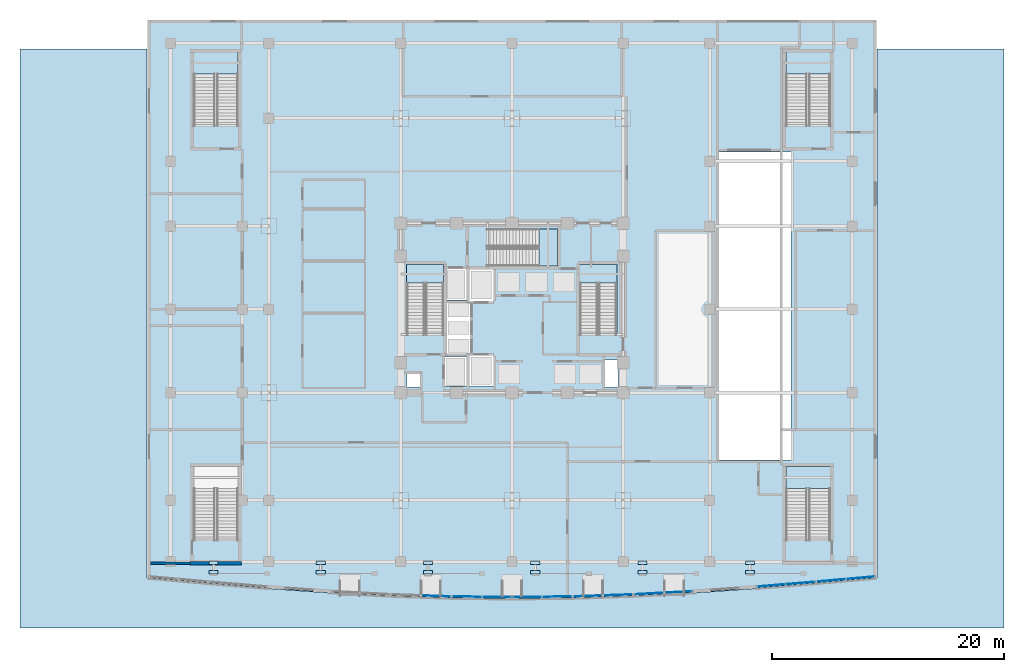
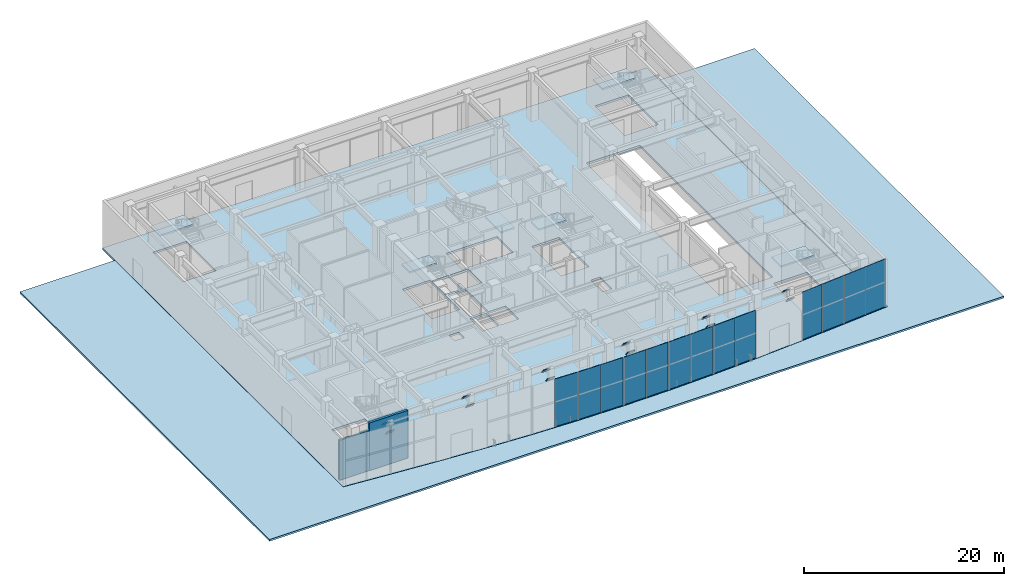
# One storey, part 11 of 23: 25 plates, 8 slabs, 2 walls, 13 elements without a shape of their own.
"""IFC4 building model written with IfcOpenShell, lengths in metres."""

from ifc_helpers import new_model, si_unit, direction, frame, frame_2d, origin, origin_2d, place, context, subcontext, project, spatial, polyline, rectangle, outline, extrude, material, layer, layer_set, type_object, element, aggregate, save


model = new_model("IFC4")

# Units and contexts
model_context = context("Model", 3, precision=1e-05, world=origin(), true_north=direction((0.0, 1.0)))
body_context = subcontext(model_context, "Body", "Model", "MODEL_VIEW")
ifc_project = project(units=[si_unit("LENGTHUNIT", "METRE"), si_unit("AREAUNIT", "SQUARE_METRE"), si_unit("VOLUMEUNIT", "CUBIC_METRE"), si_unit("PLANEANGLEUNIT", "RADIAN"), si_unit("MASSUNIT", "GRAM", prefix="KILO")], contexts=[model_context])

# Site, building, storey
site_placement = place(None, origin())
site = spatial("IfcSite", under=ifc_project, at=site_placement, CompositionType="ELEMENT")
building_placement = place(site_placement, origin())
building = spatial("IfcBuilding", under=site, at=building_placement, Name="Vantalir Tower", CompositionType="ELEMENT")
storey_placement = place(building_placement, origin())
storey = spatial("IfcBuildingStorey", under=building, at=storey_placement, Name="L00", CompositionType="ELEMENT", Elevation=0.0)

# Curtain wall, plate
ifc_material_1 = material(Name="Champagne-silver PVDF aluminium and double-silver Low-E glass", Category="aluminium")
ifc_layer_1 = layer(ifc_material_1, 0.239990234375)
ifc_layer_set_1 = layer_set([ifc_layer_1], Name="Champagne-silver PVDF aluminium and double-silver Low-E glass")
curtain_wall_type = type_object("IfcCurtainWallType", Name="CW-PODIUM-WF", PredefinedType="USERDEFINED", material=ifc_layer_set_1)
curtain_wall_1_placement = place(storey_placement, origin())
curtain_wall_1 = element("IfcCurtainWall", 1, at=curtain_wall_1_placement, inside=storey, type_object=curtain_wall_type, Name="L00 Waterfront Stick Curtain Wall 05", ObjectType="STICK CURTAIN WALL", PredefinedType="USERDEFINED")
ifc_material_2 = material(Name="Laminated waterfront podium glass IGU", Category="glass")
ifc_layer_2 = layer(ifc_material_2, 0.0400390625)
ifc_layer_set_2 = layer_set([ifc_layer_2], Name="Laminated waterfront podium glass IGU")
plate_type_1 = type_object("IfcPlateType", Name="CWP-IGU-POD-40", PredefinedType="CURTAIN_PANEL", material=ifc_layer_set_2)
plate_1_placement = place(storey_placement, frame((24.9130859375, 0.2470703125, -0.008056640625), z_axis=(0.0, 0.0, 1.0), x_axis=(0.999412557746, -0.034271554079, 0.0)))
plate_1 = element("IfcPlate", 2, at=plate_1_placement, type_object=plate_type_1, Name="CW-L00-WF-05 Glazed Panel 2", PredefinedType="CURTAIN_PANEL", context=body_context, shape_type="SweptSolid", body=[
    extrude(rectangle(XDim=2.556884765625, YDim=0.0400390625, at=origin_2d()), origin(), (0.0, 0.0, 1.0), 5.8359375),
])
aggregate(curtain_wall_1, [plate_1])

# Curtain wall, plates
curtain_wall_2_placement = place(storey_placement, origin())
curtain_wall_2 = element("IfcCurtainWall", 3, at=curtain_wall_2_placement, inside=storey, type_object=curtain_wall_type, Name="L00 Waterfront Stick Curtain Wall 06", ObjectType="STICK CURTAIN WALL", PredefinedType="USERDEFINED")
plate_2_placement = place(storey_placement, frame((27.5869140625, 0.18505859375, -0.008056640625), z_axis=(0.0, 0.0, 1.0), x_axis=(0.999932443319, -0.01162363106, 0.0)))
plate_2 = element("IfcPlate", 4, at=plate_2_placement, type_object=plate_type_1, Name="CW-L00-WF-06 Glazed Panel 1", PredefinedType="CURTAIN_PANEL", context=body_context, shape_type="SweptSolid", body=[
    extrude(rectangle(XDim=2.554931640625, YDim=0.0400390625, at=origin_2d()), origin(), (0.0, 0.0, 1.0), 5.8359375),
])
plate_3_placement = place(storey_placement, frame((30.1630859375, 0.156005859375, -0.008056640625), z_axis=(0.0, 0.0, 1.0), x_axis=(0.999932443319, -0.01162363106, 0.0)))
plate_3 = element("IfcPlate", 5, at=plate_3_placement, type_object=plate_type_1, Name="CW-L00-WF-06 Glazed Panel 2", PredefinedType="CURTAIN_PANEL", context=body_context, shape_type="SweptSolid", body=[
    extrude(rectangle(XDim=2.554931640625, YDim=0.0400390625, at=origin_2d()), origin(), (0.0, 0.0, 1.0), 5.8359375),
])
aggregate(curtain_wall_2, [plate_2, plate_3])

curtain_wall_3_placement = place(storey_placement, origin())
curtain_wall_3 = element("IfcCurtainWall", 6, at=curtain_wall_3_placement, inside=storey, type_object=curtain_wall_type, Name="L00 Waterfront Stick Curtain Wall 07", ObjectType="STICK CURTAIN WALL", PredefinedType="USERDEFINED")
plate_4_placement = place(storey_placement, frame((32.8369140625, 0.156005859375, -0.008056640625), z_axis=(0.0, 0.0, 1.0), x_axis=(0.999932443319, 0.01162363106, 0.0)))
plate_4 = element("IfcPlate", 7, at=plate_4_placement, type_object=plate_type_1, Name="CW-L00-WF-07 Glazed Panel 1", PredefinedType="CURTAIN_PANEL", context=body_context, shape_type="SweptSolid", body=[
    extrude(rectangle(XDim=2.554931640625, YDim=0.0400390625, at=origin_2d()), origin(), (0.0, 0.0, 1.0), 5.8359375),
])
plate_5_placement = place(storey_placement, frame((35.4130859375, 0.18505859375, -0.008056640625), z_axis=(0.0, 0.0, 1.0), x_axis=(0.999932443319, 0.01162363106, 0.0)))
plate_5 = element("IfcPlate", 8, at=plate_5_placement, type_object=plate_type_1, Name="CW-L00-WF-07 Glazed Panel 2", PredefinedType="CURTAIN_PANEL", context=body_context, shape_type="SweptSolid", body=[
    extrude(rectangle(XDim=2.554931640625, YDim=0.0400390625, at=origin_2d()), origin(), (0.0, 0.0, 1.0), 5.8359375),
])
aggregate(curtain_wall_3, [plate_4, plate_5])

curtain_wall_4_placement = place(storey_placement, origin())
curtain_wall_4 = element("IfcCurtainWall", 9, at=curtain_wall_4_placement, inside=storey, type_object=curtain_wall_type, Name="L00 Waterfront Stick Curtain Wall 08", ObjectType="STICK CURTAIN WALL", PredefinedType="USERDEFINED")
plate_6_placement = place(storey_placement, frame((38.0869140625, 0.2470703125, -0.008056640625), z_axis=(0.0, 0.0, 1.0), x_axis=(0.999412557746, 0.034271554079, 0.0)))
plate_6 = element("IfcPlate", 10, at=plate_6_placement, type_object=plate_type_1, Name="CW-L00-WF-08 Glazed Panel 1", PredefinedType="CURTAIN_PANEL", context=body_context, shape_type="SweptSolid", body=[
    extrude(rectangle(XDim=2.556884765625, YDim=0.0400390625, at=origin_2d()), origin(), (0.0, 0.0, 1.0), 5.8359375),
])
plate_7_placement = place(storey_placement, frame((40.6630859375, 0.3349609375, -0.008056640625), z_axis=(0.0, 0.0, 1.0), x_axis=(0.999412557746, 0.034271554079, 0.0)))
plate_7 = element("IfcPlate", 11, at=plate_7_placement, type_object=plate_type_1, Name="CW-L00-WF-08 Glazed Panel 2", PredefinedType="CURTAIN_PANEL", context=body_context, shape_type="SweptSolid", body=[
    extrude(rectangle(XDim=2.556884765625, YDim=0.0400390625, at=origin_2d()), origin(), (0.0, 0.0, 1.0), 5.8359375),
])
aggregate(curtain_wall_4, [plate_6, plate_7])

curtain_wall_5_placement = place(storey_placement, origin())
curtain_wall_5 = element("IfcCurtainWall", 12, at=curtain_wall_5_placement, inside=storey, type_object=curtain_wall_type, Name="L00 Waterfront Stick Curtain Wall 09", ObjectType="STICK CURTAIN WALL", PredefinedType="USERDEFINED")
plate_8_placement = place(storey_placement, frame((43.3369140625, 0.4541015625, -0.008056640625), z_axis=(0.0, 0.0, 1.0), x_axis=(0.998519631691, 0.054392509858, 0.0)))
plate_8 = element("IfcPlate", 13, at=plate_8_placement, type_object=plate_type_1, Name="CW-L00-WF-09 Glazed Panel 1", PredefinedType="CURTAIN_PANEL", context=body_context, shape_type="SweptSolid", body=[
    extrude(rectangle(XDim=2.55908203125, YDim=0.0400390625, at=origin_2d()), origin(), (0.0, 0.0, 1.0), 5.8359375),
])
plate_9_placement = place(storey_placement, frame((45.847900390625, 0.591064453125, -0.008056640625), z_axis=(0.0, 0.0, 1.0), x_axis=(0.998519631691, 0.054392509858, 0.0)))
plate_9 = element("IfcPlate", 14, at=plate_9_placement, type_object=plate_type_1, Name="CW-L00-WF-09 Glazed Panel 2", PredefinedType="CURTAIN_PANEL", context=body_context, shape_type="SweptSolid", body=[
    extrude(rectangle(XDim=2.428955078125, YDim=0.0400390625, at=origin_2d()), origin(), (0.0, 0.0, 1.0), 5.8359375),
])
aggregate(curtain_wall_5, [plate_8, plate_9])

curtain_wall_6_placement = place(storey_placement, origin())
curtain_wall_6 = element("IfcCurtainWall", 15, at=curtain_wall_6_placement, inside=storey, type_object=curtain_wall_type, Name="L00 Waterfront Stick Curtain Wall 11", ObjectType="STICK CURTAIN WALL", PredefinedType="USERDEFINED")
plate_10_placement = place(storey_placement, frame((53.902099609375, 1.156005859375, -0.008056640625), z_axis=(0.0, 0.0, 1.0), x_axis=(0.996600101689, 0.082390759878, 0.0)))
plate_10 = element("IfcPlate", 16, at=plate_10_placement, type_object=plate_type_1, Name="CW-L00-WF-11 Glazed Panel 1", PredefinedType="CURTAIN_PANEL", context=body_context, shape_type="SweptSolid", body=[
    extrude(rectangle(XDim=2.43408203125, YDim=0.0400390625, at=origin_2d()), origin(), (0.0, 0.0, 1.0), 5.8359375),
])
plate_11_placement = place(storey_placement, frame((56.4130859375, 1.363037109375, -0.008056640625), z_axis=(0.0, 0.0, 1.0), x_axis=(0.996600101689, 0.082390759878, 0.0)))
plate_11 = element("IfcPlate", 17, at=plate_11_placement, type_object=plate_type_1, Name="CW-L00-WF-11 Glazed Panel 2", PredefinedType="CURTAIN_PANEL", context=body_context, shape_type="SweptSolid", body=[
    extrude(rectangle(XDim=2.56396484375, YDim=0.0400390625, at=origin_2d()), origin(), (0.0, 0.0, 1.0), 5.8359375),
])
aggregate(curtain_wall_6, [plate_10, plate_11])

curtain_wall_7_placement = place(storey_placement, origin())
curtain_wall_7 = element("IfcCurtainWall", 18, at=curtain_wall_7_placement, inside=storey, type_object=curtain_wall_type, Name="L00 Waterfront Stick Curtain Wall 12", ObjectType="STICK CURTAIN WALL", PredefinedType="USERDEFINED")
plate_12_placement = place(storey_placement, frame((59.0869140625, 1.593017578125, -0.008056640625), z_axis=(0.0, 0.0, 1.0), x_axis=(0.99608438842, 0.088407528781, 0.0)))
plate_12 = element("IfcPlate", 19, at=plate_12_placement, type_object=plate_type_1, Name="CW-L00-WF-12 Glazed Panel 1", PredefinedType="CURTAIN_PANEL", context=body_context, shape_type="SweptSolid", body=[
    extrude(rectangle(XDim=2.56494140625, YDim=0.0400390625, at=origin_2d()), origin(), (0.0, 0.0, 1.0), 5.8359375),
])
plate_13_placement = place(storey_placement, frame((61.597900390625, 1.81591796875, -0.008056640625), z_axis=(0.0, 0.0, 1.0), x_axis=(0.99608438842, 0.088407528781, 0.0)))
plate_13 = element("IfcPlate", 20, at=plate_13_placement, type_object=plate_type_1, Name="CW-L00-WF-12 Glazed Panel 2", PredefinedType="CURTAIN_PANEL", context=body_context, shape_type="SweptSolid", body=[
    extrude(rectangle(XDim=2.43505859375, YDim=0.0400390625, at=origin_2d()), origin(), (0.0, 0.0, 1.0), 5.8359375),
])
aggregate(curtain_wall_7, [plate_12, plate_13])

# Plates
ifc_material_3 = material(Name="Steel S460", Category="steel")
ifc_layer_3 = layer(ifc_material_3, 0.031982421875)
ifc_layer_set_3 = layer_set([ifc_layer_3], Name="Steel S460")
plate_type_2 = type_object("IfcPlateType", Name="PLT-KN-Z3", PredefinedType="USERDEFINED", material=ifc_layer_set_3)
plate_14_placement = place(storey_placement, frame((6.116943359375, 2.453857421875, 4.21044921875), z_axis=(0.0, 0.819342199311, 0.573304770979), x_axis=(-1.0, 0.0, 0.0)))
element("IfcPlate", 21, at=plate_14_placement, inside=storey, type_object=plate_type_2, Name="Node Cap Plate MEM-L00-CSTRUT-01 Start", ObjectType="FLANGE_PLATE", PredefinedType="USERDEFINED", context=body_context, shape_type="SweptSolid", body=[
    extrude(outline(polyline([(0.0, 0.0), (0.800048828125, 0.0), (0.800048828125, 0.5199602693271592), (0.0, 0.5199602693271592), (0.0, 0.0)])), origin(), (0.0, 0.0, -1.0), 0.031982421875),
])
plate_15_placement = place(storey_placement, frame((6.116943359375, 3.2705078125, 4.781982421875), z_axis=(0.0, 0.819121641121, 0.573619854126), x_axis=(-1.0, 0.0, 0.0)))
element("IfcPlate", 22, at=plate_15_placement, inside=storey, type_object=plate_type_2, Name="Node Cap Plate MEM-L00-CSTRUT-01 End", ObjectType="FLANGE_PLATE", PredefinedType="USERDEFINED", context=body_context, shape_type="SweptSolid", body=[
    extrude(outline(polyline([(0.0, 0.0), (0.800048828125, 0.0), (0.800048828125, 0.5201002747797373), (0.0, 0.5201002747797373), (0.0, 0.0)])), origin(), (0.0, 0.0, -1.0), 0.031982421875),
])
plate_16_placement = place(storey_placement, frame((15.383056640625, 2.453857421875, 4.21044921875), z_axis=(0.0, 0.819342199311, 0.573304770979), x_axis=(-1.0, 0.0, 0.0)))
element("IfcPlate", 23, at=plate_16_placement, inside=storey, type_object=plate_type_2, Name="Node Cap Plate MEM-L00-CSTRUT-02 Start", ObjectType="FLANGE_PLATE", PredefinedType="USERDEFINED", context=body_context, shape_type="SweptSolid", body=[
    extrude(outline(polyline([(0.0, 0.0), (0.800048828125, 0.0), (0.800048828125, 0.5199602693271592), (0.0, 0.5199602693271592), (0.0, 0.0)])), origin(), (0.0, 0.0, -1.0), 0.031982421875),
])
plate_17_placement = place(storey_placement, frame((15.383056640625, 3.2705078125, 4.781982421875), z_axis=(0.0, 0.819121641121, 0.573619854126), x_axis=(-1.0, 0.0, 0.0)))
element("IfcPlate", 24, at=plate_17_placement, inside=storey, type_object=plate_type_2, Name="Node Cap Plate MEM-L00-CSTRUT-02 End", ObjectType="FLANGE_PLATE", PredefinedType="USERDEFINED", context=body_context, shape_type="SweptSolid", body=[
    extrude(outline(polyline([(0.0, 0.0), (0.800048828125, 0.0), (0.800048828125, 0.5201002747797373), (0.0, 0.5201002747797373), (0.0, 0.0)])), origin(), (0.0, 0.0, -1.0), 0.031982421875),
])
plate_18_placement = place(storey_placement, frame((24.64990234375, 2.453857421875, 4.21044921875), z_axis=(0.0, 0.819342199311, 0.573304770979), x_axis=(-1.0, 0.0, 0.0)))
element("IfcPlate", 25, at=plate_18_placement, inside=storey, type_object=plate_type_2, Name="Node Cap Plate MEM-L00-CSTRUT-03 Start", ObjectType="FLANGE_PLATE", PredefinedType="USERDEFINED", context=body_context, shape_type="SweptSolid", body=[
    extrude(outline(polyline([(0.0, 0.0), (0.7998046875, 0.0), (0.7998046875, 0.5199602693271592), (0.0, 0.5199602693271592), (0.0, 0.0)])), origin(), (0.0, 0.0, -1.0), 0.031982421875),
])
plate_19_placement = place(storey_placement, frame((24.64990234375, 3.2705078125, 4.781982421875), z_axis=(0.0, 0.819121641121, 0.573619854126), x_axis=(-1.0, 0.0, 0.0)))
element("IfcPlate", 26, at=plate_19_placement, inside=storey, type_object=plate_type_2, Name="Node Cap Plate MEM-L00-CSTRUT-03 End", ObjectType="FLANGE_PLATE", PredefinedType="USERDEFINED", context=body_context, shape_type="SweptSolid", body=[
    extrude(outline(polyline([(0.0, 0.0), (0.7998046875, 0.0), (0.7998046875, 0.5201002747797373), (0.0, 0.5201002747797373), (0.0, 0.0)])), origin(), (0.0, 0.0, -1.0), 0.031982421875),
])
plate_20_placement = place(storey_placement, frame((33.9169921875, 2.453857421875, 4.21044921875), z_axis=(0.0, 0.819342199311, 0.573304770979), x_axis=(-1.0, 0.0, 0.0)))
element("IfcPlate", 27, at=plate_20_placement, inside=storey, type_object=plate_type_2, Name="Node Cap Plate MEM-L00-CSTRUT-04 Start", ObjectType="FLANGE_PLATE", PredefinedType="USERDEFINED", context=body_context, shape_type="SweptSolid", body=[
    extrude(outline(polyline([(0.0, 0.0), (0.800048828125, 0.0), (0.800048828125, 0.5199602693271592), (0.0, 0.5199602693271592), (0.0, 0.0)])), origin(), (0.0, 0.0, -1.0), 0.031982421875),
])
plate_21_placement = place(storey_placement, frame((33.9169921875, 3.2705078125, 4.781982421875), z_axis=(0.0, 0.819121641121, 0.573619854126), x_axis=(-1.0, 0.0, 0.0)))
element("IfcPlate", 28, at=plate_21_placement, inside=storey, type_object=plate_type_2, Name="Node Cap Plate MEM-L00-CSTRUT-04 End", ObjectType="FLANGE_PLATE", PredefinedType="USERDEFINED", context=body_context, shape_type="SweptSolid", body=[
    extrude(outline(polyline([(0.0, 0.0), (0.800048828125, 0.0), (0.800048828125, 0.5201002747797373), (0.0, 0.5201002747797373), (0.0, 0.0)])), origin(), (0.0, 0.0, -1.0), 0.031982421875),
])
plate_22_placement = place(storey_placement, frame((43.18310546875, 2.453857421875, 4.21044921875), z_axis=(0.0, 0.819342199311, 0.573304770979), x_axis=(-1.0, 0.0, 0.0)))
element("IfcPlate", 29, at=plate_22_placement, inside=storey, type_object=plate_type_2, Name="Node Cap Plate MEM-L00-CSTRUT-05 Start", ObjectType="FLANGE_PLATE", PredefinedType="USERDEFINED", context=body_context, shape_type="SweptSolid", body=[
    extrude(outline(polyline([(0.0, 0.0), (0.800048828125, 0.0), (0.800048828125, 0.5199602693271592), (0.0, 0.5199602693271592), (0.0, 0.0)])), origin(), (0.0, 0.0, -1.0), 0.031982421875),
])
plate_23_placement = place(storey_placement, frame((43.18310546875, 3.2705078125, 4.781982421875), z_axis=(0.0, 0.819121641121, 0.573619854126), x_axis=(-1.0, 0.0, 0.0)))
element("IfcPlate", 30, at=plate_23_placement, inside=storey, type_object=plate_type_2, Name="Node Cap Plate MEM-L00-CSTRUT-05 End", ObjectType="FLANGE_PLATE", PredefinedType="USERDEFINED", context=body_context, shape_type="SweptSolid", body=[
    extrude(outline(polyline([(0.0, 0.0), (0.800048828125, 0.0), (0.800048828125, 0.5201002747797373), (0.0, 0.5201002747797373), (0.0, 0.0)])), origin(), (0.0, 0.0, -1.0), 0.031982421875),
])
plate_24_placement = place(storey_placement, frame((52.449951171875, 2.453857421875, 4.21044921875), z_axis=(0.0, 0.819342199311, 0.573304770979), x_axis=(-1.0, 0.0, 0.0)))
element("IfcPlate", 31, at=plate_24_placement, inside=storey, type_object=plate_type_2, Name="Node Cap Plate MEM-L00-CSTRUT-06 Start", ObjectType="FLANGE_PLATE", PredefinedType="USERDEFINED", context=body_context, shape_type="SweptSolid", body=[
    extrude(outline(polyline([(0.0, 0.0), (0.800048828125, 0.0), (0.800048828125, 0.5199602693271592), (0.0, 0.5199602693271592), (0.0, 0.0)])), origin(), (0.0, 0.0, -1.0), 0.031982421875),
])
plate_25_placement = place(storey_placement, frame((52.449951171875, 3.2705078125, 4.781982421875), z_axis=(0.0, 0.819121641121, 0.573619854126), x_axis=(-1.0, 0.0, 0.0)))
element("IfcPlate", 32, at=plate_25_placement, inside=storey, type_object=plate_type_2, Name="Node Cap Plate MEM-L00-CSTRUT-06 End", ObjectType="FLANGE_PLATE", PredefinedType="USERDEFINED", context=body_context, shape_type="SweptSolid", body=[
    extrude(outline(polyline([(0.0, 0.0), (0.800048828125, 0.0), (0.800048828125, 0.5201002747797373), (0.0, 0.5201002747797373), (0.0, 0.0)])), origin(), (0.0, 0.0, -1.0), 0.031982421875),
])

# Stair, slab
ifc_material_4 = material(Name="Concrete C40/50", Category="concrete")
stair_type_1 = type_object("IfcStairType", Name="STR-CORE-1450", PredefinedType="HALF_TURN_STAIR", material=ifc_material_4)
stair_1_placement = place(storey_placement, origin())
stair_1 = element("IfcStair", 33, at=stair_1_placement, inside=storey, type_object=stair_type_1, Name="L00 Core Exit Stair 1", PredefinedType="HALF_TURN_STAIR")
ifc_layer_4 = layer(ifc_material_4, 0.199951171875)
ifc_layer_set_4 = layer_set([ifc_layer_4], Name="Concrete C40/50")
slab_type_1 = type_object("IfcSlabType", Name="SL-LAND-200", PredefinedType="LANDING", material=ifc_layer_set_4)
slab_1_placement = place(storey_placement, frame((0.0, 0.0, 2.800048828125)))
slab_1 = element("IfcSlab", 34, at=slab_1_placement, type_object=slab_type_1, Name="ST1 landing 1", PredefinedType="LANDING", context=body_context, shape_type="SweptSolid", body=[
    extrude(outline(polyline([(25.60009765625, 27.27001953125), (25.60009765625, 28.8701171875), (22.39990234375, 28.8701171875), (22.39990234375, 27.27001953125), (25.60009765625, 27.27001953125)])), origin(), (0.0, 0.0, 1.0), 0.199951171875),
])
aggregate(stair_1, [slab_1])

stair_2_placement = place(storey_placement, origin())
stair_2 = element("IfcStair", 35, at=stair_2_placement, inside=storey, type_object=stair_type_1, Name="L00 Core Exit Stair 2", PredefinedType="HALF_TURN_STAIR")
slab_2_placement = place(storey_placement, frame((0.0, 0.0, 2.800048828125)))
slab_2 = element("IfcSlab", 36, at=slab_2_placement, type_object=slab_type_1, Name="ST2 landing 1", PredefinedType="LANDING", context=body_context, shape_type="SweptSolid", body=[
    extrude(outline(polyline([(40.550048828125, 27.27001953125), (40.550048828125, 28.8701171875), (37.35009765625, 28.8701171875), (37.35009765625, 27.27001953125), (40.550048828125, 27.27001953125)])), origin(), (0.0, 0.0, 1.0), 0.199951171875),
])
aggregate(stair_2, [slab_2])

stair_3_placement = place(storey_placement, origin())
stair_3 = element("IfcStair", 37, at=stair_3_placement, inside=storey, type_object=stair_type_1, Name="L00 Core Exit Stair 3", PredefinedType="HALF_TURN_STAIR")
slab_3_placement = place(storey_placement, frame((0.0, 0.0, 2.800048828125)))
slab_3 = element("IfcSlab", 38, at=slab_3_placement, type_object=slab_type_1, Name="ST3 landing 1", PredefinedType="LANDING", context=body_context, shape_type="SweptSolid", body=[
    extrude(outline(polyline([(33.820068359375, 28.75), (35.419921875, 28.75), (35.419921875, 31.949951171875), (33.820068359375, 31.949951171875), (33.820068359375, 28.75)])), origin(), (0.0, 0.0, 1.0), 0.199951171875),
])
aggregate(stair_3, [slab_3])

stair_type_2 = type_object("IfcStairType", Name="STR-POD-1550", PredefinedType="HALF_TURN_STAIR", material=ifc_material_4)
stair_4_placement = place(storey_placement, origin())
stair_4 = element("IfcStair", 39, at=stair_4_placement, inside=storey, type_object=stair_type_2, Name="L00 Podium Exit Stair 1", PredefinedType="HALF_TURN_STAIR")
slab_4_placement = place(storey_placement, frame((0.0, 0.0, 2.800048828125)))
slab_4 = element("IfcSlab", 40, at=slab_4_placement, type_object=slab_type_1, Name="PST1 landing 1", PredefinedType="LANDING", context=body_context, shape_type="SweptSolid", body=[
    extrude(outline(polyline([(7.85009765625, 45.330078125), (7.85009765625, 47.219970703125), (4.0, 47.219970703125), (4.0, 45.330078125), (7.85009765625, 45.330078125)])), origin(), (0.0, 0.0, 1.0), 0.199951171875),
])
aggregate(stair_4, [slab_4])

stair_5_placement = place(storey_placement, origin())
stair_5 = element("IfcStair", 41, at=stair_5_placement, inside=storey, type_object=stair_type_2, Name="L00 Podium Exit Stair 2", PredefinedType="HALF_TURN_STAIR")
slab_5_placement = place(storey_placement, frame((0.0, 0.0, 2.800048828125)))
slab_5 = element("IfcSlab", 42, at=slab_5_placement, type_object=slab_type_1, Name="PST2 landing 1", PredefinedType="LANDING", context=body_context, shape_type="SweptSolid", body=[
    extrude(outline(polyline([(59.0, 45.330078125), (59.0, 47.219970703125), (55.14990234375, 47.219970703125), (55.14990234375, 45.330078125), (59.0, 45.330078125)])), origin(), (0.0, 0.0, 1.0), 0.199951171875),
])
aggregate(stair_5, [slab_5])

stair_6_placement = place(storey_placement, origin())
stair_6 = element("IfcStair", 43, at=stair_6_placement, inside=storey, type_object=stair_type_2, Name="L00 Podium Exit Stair 4", PredefinedType="HALF_TURN_STAIR")
slab_6_placement = place(storey_placement, frame((0.0, 0.0, 2.800048828125)))
slab_6 = element("IfcSlab", 44, at=slab_6_placement, type_object=slab_type_1, Name="PST4 landing 1", PredefinedType="LANDING", context=body_context, shape_type="SweptSolid", body=[
    extrude(outline(polyline([(59.0, 9.530029296875), (59.0, 11.419921875), (55.14990234375, 11.419921875), (55.14990234375, 9.530029296875), (59.0, 9.530029296875)])), origin(), (0.0, 0.0, 1.0), 0.199951171875),
])
aggregate(stair_6, [slab_6])

# Slabs
ifc_layer_5 = layer(ifc_material_4, 0.25)
ifc_layer_set_5 = layer_set([ifc_layer_5], Name="Concrete C40/50")
slab_type_2 = type_object("IfcSlabType", Name="SL-POD-250", PredefinedType="FLOOR", material=ifc_layer_set_5)
slab_7_placement = place(storey_placement, frame((0.0, 0.0, -0.25)))
element("IfcSlab", 45, at=slab_7_placement, inside=storey, type_object=slab_type_2, Name="L00 Primary Structural Slab", PredefinedType="FLOOR", context=body_context, shape_type="SweptSolid", body=[
    extrude(outline(polyline([(5.25, 1.333984375), (10.5, 0.89990234375), (15.75, 0.527099609375), (21.0, 0.240966796875), (26.25, 0.06103515625), (31.5, 0.0), (36.75, 0.06103515625), (42.0, 0.240966796875), (47.25, 0.527099609375), (52.5, 0.89990234375), (57.75, 1.333984375), (63.0, 1.800048828125), (63.0, 50.0), (0.0, 50.0), (0.0, 1.800048828125), (5.25, 1.333984375)]), holes=[polyline([(22.39990234375, 28.699951171875), (25.60009765625, 28.699951171875), (25.60009765625, 22.7900390625), (22.39990234375, 22.7900390625), (22.39990234375, 28.699951171875)]), polyline([(40.550048828125, 28.699951171875), (40.550048828125, 22.7900390625), (37.35009765625, 22.7900390625), (37.35009765625, 28.699951171875), (40.550048828125, 28.699951171875)]), polyline([(29.340087890625, 28.75), (29.340087890625, 31.949951171875), (35.25, 31.949951171875), (35.25, 28.75), (29.340087890625, 28.75)]), polyline([(4.0, 40.85009765625), (4.0, 46.800048828125), (7.85009765625, 46.800048828125), (7.85009765625, 40.85009765625), (4.0, 40.85009765625)]), polyline([(55.14990234375, 46.800048828125), (59.0, 46.800048828125), (59.0, 40.85009765625), (55.14990234375, 40.85009765625), (55.14990234375, 46.800048828125)]), polyline([(7.85009765625, 11.0), (7.85009765625, 5.050048828125), (4.0, 5.050048828125), (4.0, 11.0), (7.85009765625, 11.0)]), polyline([(59.0, 5.050048828125), (55.14990234375, 5.050048828125), (55.14990234375, 11.0), (59.0, 11.0), (59.0, 5.050048828125)]), polyline([(25.699951171875, 18.39990234375), (25.699951171875, 20.89990234375), (27.60009765625, 20.89990234375), (27.60009765625, 18.39990234375), (25.699951171875, 18.39990234375)]), polyline([(25.699951171875, 28.5), (27.60009765625, 28.5), (27.60009765625, 25.800048828125), (25.699951171875, 25.800048828125), (25.699951171875, 28.5)]), polyline([(29.89990234375, 21.0), (29.89990234375, 18.39990234375), (27.800048828125, 18.39990234375), (27.800048828125, 21.0), (29.89990234375, 21.0)]), polyline([(29.89990234375, 25.699951171875), (27.800048828125, 25.699951171875), (27.800048828125, 28.5), (29.89990234375, 28.5), (29.89990234375, 25.699951171875)]), polyline([(25.889892578125, 21.199951171875), (25.889892578125, 25.56005859375), (27.89990234375, 25.56005859375), (27.89990234375, 21.199951171875), (25.889892578125, 21.199951171875)]), polyline([(49.39990234375, 38.60009765625), (55.60009765625, 38.60009765625), (55.60009765625, 12.0), (49.39990234375, 12.0), (49.39990234375, 38.60009765625)]), polyline([(23.550048828125, 19.39990234375), (23.550048828125, 18.300048828125), (22.449951171875, 18.300048828125), (22.449951171875, 19.39990234375), (23.550048828125, 19.39990234375)]), polyline([(40.64990234375, 18.300048828125), (39.550048828125, 18.300048828125), (39.550048828125, 20.64990234375), (40.64990234375, 20.64990234375), (40.64990234375, 18.300048828125)])]), origin(), (0.0, 0.0, 1.0), 0.25),
])
ifc_material_5 = material(Name="Granite stone paving over Concrete C40/50", Category="masonry")
ifc_layer_6 = layer(ifc_material_5, 0.159912109375)
ifc_layer_set_6 = layer_set([ifc_layer_6], Name="Granite stone paving over Concrete C40/50")
slab_type_3 = type_object("IfcSlabType", Name="SL-PROM-PAVING-160", PredefinedType="USERDEFINED", material=ifc_layer_set_6)
slab_8_placement = place(storey_placement, frame((0.0, 0.0, -0.219970703125)))
element("IfcSlab", 46, at=slab_8_placement, inside=storey, type_object=slab_type_3, Name="L00 Waterfront River Promenade Paving", ObjectType="PAVING", PredefinedType="USERDEFINED", context=body_context, shape_type="SweptSolid", body=[
    extrude(outline(polyline([(63.014892578125, 47.5), (63.014892578125, 1.785888671875), (57.7509765625, 1.319091796875), (52.5009765625, 0.885009765625), (47.2509765625, 0.511962890625), (42.0009765625, 0.22607421875), (36.75, 0.0458984375), (31.5, -0.014892578125), (26.25, 0.0458984375), (20.9990234375, 0.22607421875), (15.7490234375, 0.511962890625), (10.4990234375, 0.885009765625), (5.2490234375, 1.319091796875), (-0.014892578125, 1.785888671875), (-0.014892578125, 47.5), (-11.0, 47.5), (-11.0, -2.5), (74.0, -2.5), (74.0, 47.5), (63.014892578125, 47.5)])), origin(), (0.0, 0.0, 1.0), 0.219970703125),
])

# Walls
ifc_material_6 = material(Name="Concrete blockwork with fireboard lining", Category="masonry")
ifc_layer_7 = layer(ifc_material_6, 0.219970703125)
ifc_layer_set_7 = layer_set([ifc_layer_7], Name="Concrete blockwork with fireboard lining")
wall_type_1 = type_object("IfcWallType", Name="WL-FFL-220", PredefinedType="PARTITIONING", material=ifc_layer_set_7)
wall_1_placement = place(storey_placement, frame((0.280029296875, 3.06005859375, 0.0), z_axis=(0.0, 0.0, 1.0), x_axis=(1.0, 0.0, 0.0)))
element("IfcWall", 47, at=wall_1_placement, inside=storey, type_object=wall_type_1, Name="L00 South-West Exit Passage South Wall", PredefinedType="PARTITIONING", context=body_context, shape_type="SweptSolid", body=[
    extrude(rectangle(XDim=3.419921875, YDim=0.219970703125, at=frame_2d((1.7099609375, 0.0))), origin(), (0.0, 0.0, 1.0), 4.867919921875),
])
ifc_material_7 = material(Name="Concrete C50/60", Category="concrete")
ifc_layer_8 = layer(ifc_material_7, 0.300048828125)
ifc_layer_set_8 = layer_set([ifc_layer_8], Name="Concrete C50/60")
wall_type_2 = type_object("IfcWallType", Name="WL-STAIR-300", PredefinedType="SHEAR", material=ifc_layer_set_8)
wall_2_placement = place(storey_placement, frame((3.699951171875, 3.06005859375, 0.0), z_axis=(0.0, 0.0, 1.0), x_axis=(1.0, 0.0, 0.0)))
element("IfcWall", 48, at=wall_2_placement, inside=storey, type_object=wall_type_2, Name="L00 PST3 South Wall", PredefinedType="SHEAR", context=body_context, shape_type="SweptSolid", body=[
    extrude(rectangle(XDim=4.449951171875, YDim=0.300048828125, at=frame_2d((2.22509765625, 0.0))), origin(), (0.0, 0.0, 1.0), 5.820068359375),
])

save(model, "model.ifc")
